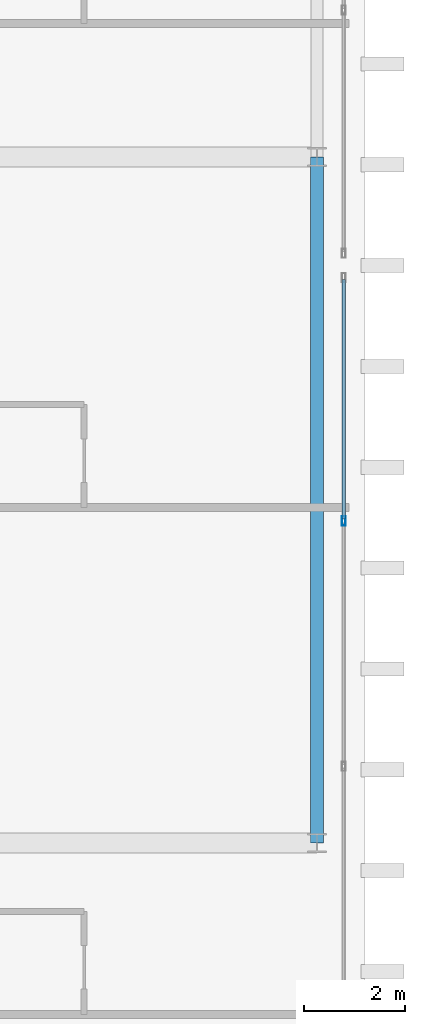
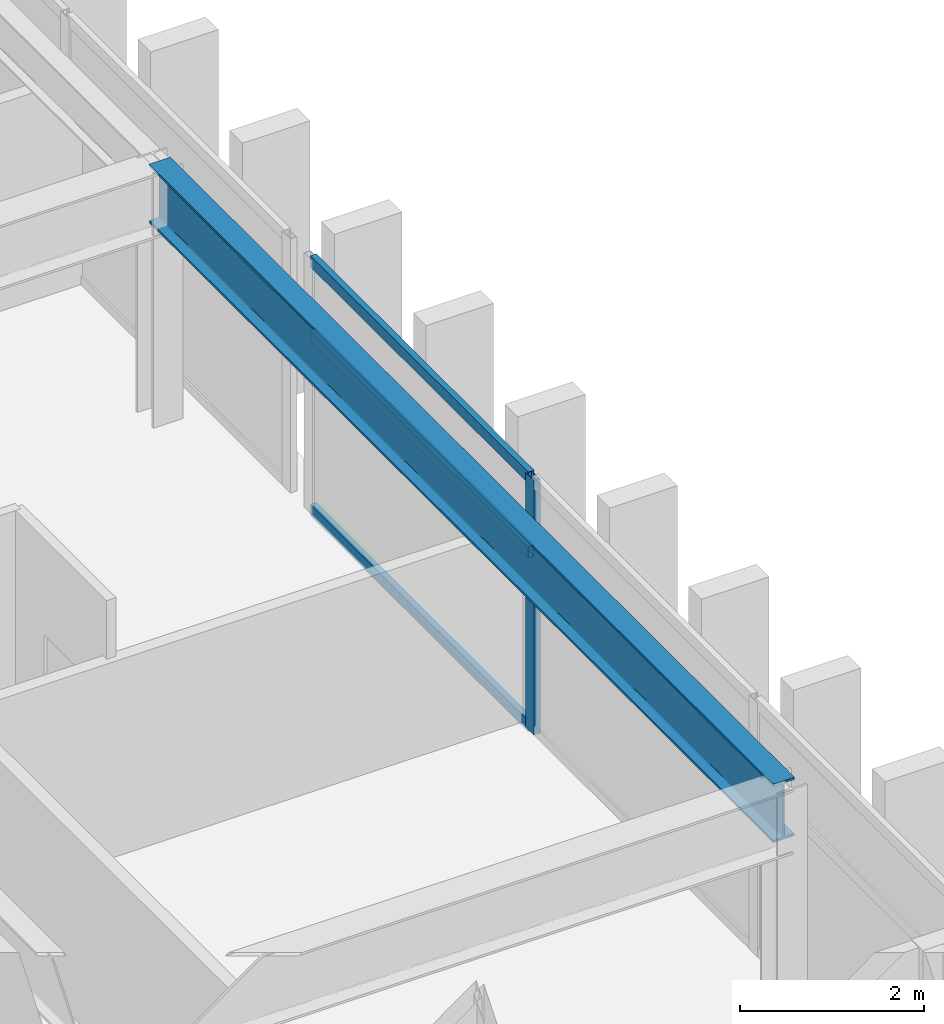
# One storey, part 5 of 15: 4 members, 1 beam, 1 element without a shape of its own.
"""IFC4 building model written with IfcOpenShell, lengths in metres."""

from ifc_helpers import new_model, si_unit, direction, frame, origin, origin_2d, place, context, subcontext, project, spatial, hollow_rectangle, i_section, extrude, source, transform, mapped, material, layer, layer_set, material_profile, profile_set, type_object, element, aggregate, save


model = new_model("IFC4")

# Units and contexts
model_context = context("Model", 3, precision=1e-05, world=origin(), true_north=direction((0.0, 1.0)))
body_context = subcontext(model_context, "Body", "Model", "MODEL_VIEW")
ifc_project = project(units=[si_unit("LENGTHUNIT", "METRE"), si_unit("AREAUNIT", "SQUARE_METRE"), si_unit("VOLUMEUNIT", "CUBIC_METRE"), si_unit("PLANEANGLEUNIT", "RADIAN"), si_unit("MASSUNIT", "GRAM", prefix="KILO")], contexts=[model_context])

# Site, building, storey
site_placement = place(None, origin())
site = spatial("IfcSite", under=ifc_project, at=site_placement, CompositionType="ELEMENT")
building_placement = place(site_placement, origin())
building = spatial("IfcBuilding", under=site, at=building_placement, Name="Ocotamira Hotel", CompositionType="ELEMENT")
storey_placement = place(building_placement, frame((0.0, 0.0, 276.0)))
storey = spatial("IfcBuildingStorey", under=building, at=storey_placement, Name="L70", CompositionType="ELEMENT", Elevation=276.0)

# Beam
ifc_material_1 = material(Name="Steel ASTM A992 Grade 50", Category="steel")
ifc_material_profile_1 = material_profile(ifc_material_1, i_section(OverallWidth=0.26611328125, OverallDepth=0.779052734375, WebThickness=0.0166015625, FlangeThickness=0.030029296875, FilletRadius=0.01806640625, at=origin_2d()), Name="W30X148")
ifc_profile_set_1 = profile_set([ifc_material_profile_1], Name="Steel ASTM A992 Grade 50")
beam_type = type_object("IfcBeamType", Name="BM-GIRD-W30X148", PredefinedType="BEAM", material=ifc_profile_set_1)
shared_shape_1 = source(origin(), body_context, "Body", "SweptSolid", [
    extrude(i_section(OverallWidth=0.26611328125, OverallDepth=0.779052734375, WebThickness=0.0166015625, FlangeThickness=0.030029296875, FilletRadius=0.01806640625, at=origin_2d()), origin(), (0.0, 0.0, 1.0), 13.599853515625),
])
beam_placement = place(storey_placement, frame((32.050048828125, 14.550048828125, 2.990478515625), z_axis=(0.0, 1.0, 0.0), x_axis=(-1.0, 0.0, 0.0)))
element("IfcBeam", 1, at=beam_placement, inside=storey, type_object=beam_type, Name="L70 Beam X32.05 Y14.55-28.15", PredefinedType="BEAM", context=body_context, shape_type="MappedRepresentation", body=[
    mapped(shared_shape_1, transform((0.0, 0.0, 0.0), scale=1.0)),
])

# Curtain wall, members
ifc_material_2 = material(Name="Anodised pale-metal aluminium and solar glass", Category="aluminium")
ifc_layer = layer(ifc_material_2, 0.2099609375)
ifc_layer_set = layer_set([ifc_layer], Name="Anodised pale-metal aluminium and solar glass")
curtain_wall_type = type_object("IfcCurtainWallType", Name="CW-SYS7-PEAK", PredefinedType="NOTDEFINED", material=ifc_layer_set)
curtain_wall_placement = place(storey_placement, origin())
curtain_wall = element("IfcCurtainWall", 2, at=curtain_wall_placement, inside=storey, type_object=curtain_wall_type, Name="L70 Curtain Wall CW-7 CW-L70-E1", PredefinedType="NOTDEFINED")
ifc_material_3 = material(Name="Anodised pale-metal aluminium 6063-T6", Category="aluminium")
ifc_material_profile_2 = material_profile(ifc_material_3, hollow_rectangle(XDim=0.080078125, YDim=0.179931640625, WallThickness=0.006103515625, at=origin_2d()), Name="HSS180X80X6")
ifc_profile_set_2 = profile_set([ifc_material_profile_2], Name="Anodised pale-metal aluminium 6063-T6")
member_type_1 = type_object("IfcMemberType", Name="CWM-180X75", PredefinedType="MULLION", material=ifc_profile_set_2)
shared_shape_2 = source(origin(), body_context, "Body", "SweptSolid", [
    extrude(hollow_rectangle(XDim=0.080078125, YDim=0.179931640625, WallThickness=0.006103515625, at=origin_2d()), origin(), (0.0, 0.0, 1.0), 3.3798828125),
])
member_1_placement = place(storey_placement, frame((32.580078125, 20.933349609375, 0.0), z_axis=(0.0, 0.0, 1.0), x_axis=(-1.0, 0.0, 0.0)))
member_1 = element("IfcMember", 3, at=member_1_placement, type_object=member_type_1, Name="CW-7 mullion 3", PredefinedType="MULLION", context=body_context, shape_type="MappedRepresentation", body=[
    mapped(shared_shape_2, transform((0.0, 0.0, 0.0), scale=1.0)),
])
ifc_material_profile_3 = material_profile(ifc_material_3, hollow_rectangle(XDim=0.074951171875, YDim=0.14990234375, WallThickness=0.006103515625, at=origin_2d()), Name="HSS150X75X6")
ifc_profile_set_3 = profile_set([ifc_material_profile_3], Name="Anodised pale-metal aluminium 6063-T6")
member_type_2 = type_object("IfcMemberType", Name="CWT-150X75", PredefinedType="USERDEFINED", material=ifc_profile_set_3)
shared_shape_3 = source(origin(), body_context, "Body", "SweptSolid", [
    extrude(hollow_rectangle(XDim=0.074951171875, YDim=0.14990234375, WallThickness=0.006103515625, at=origin_2d()), origin(), (0.0, 0.0, 1.0), 4.74658203125),
])
member_2_placement = place(storey_placement, frame((32.580078125, 20.973388671875, 0.03759765625), z_axis=(0.0, 1.0, 0.0), x_axis=(-1.0, 0.0, 0.0)))
member_2 = element("IfcMember", 4, at=member_2_placement, type_object=member_type_2, Name="CW-7 transom 3.1", ObjectType="TRANSOM", PredefinedType="USERDEFINED", context=body_context, shape_type="MappedRepresentation", body=[
    mapped(shared_shape_3, transform((0.0, 0.0, 0.0), scale=1.0)),
])
member_3_placement = place(storey_placement, frame((32.580078125, 20.973388671875, 2.35009765625), z_axis=(0.0, 1.0, 0.0), x_axis=(-1.0, 0.0, 0.0)))
member_3 = element("IfcMember", 5, at=member_3_placement, type_object=member_type_2, Name="CW-7 transom 3.2", ObjectType="TRANSOM", PredefinedType="USERDEFINED", context=body_context, shape_type="MappedRepresentation", body=[
    mapped(shared_shape_3, transform((0.0, 0.0, 0.0), scale=1.0)),
])
member_4_placement = place(storey_placement, frame((32.580078125, 20.973388671875, 3.342529296875), z_axis=(0.0, 1.0, 0.0), x_axis=(-1.0, 0.0, 0.0)))
member_4 = element("IfcMember", 6, at=member_4_placement, type_object=member_type_2, Name="CW-7 transom 3.3", ObjectType="TRANSOM", PredefinedType="USERDEFINED", context=body_context, shape_type="MappedRepresentation", body=[
    mapped(shared_shape_3, transform((0.0, 0.0, 0.0), scale=1.0)),
])
aggregate(curtain_wall, [member_1, member_2, member_3, member_4])

save(model, "model.ifc")
